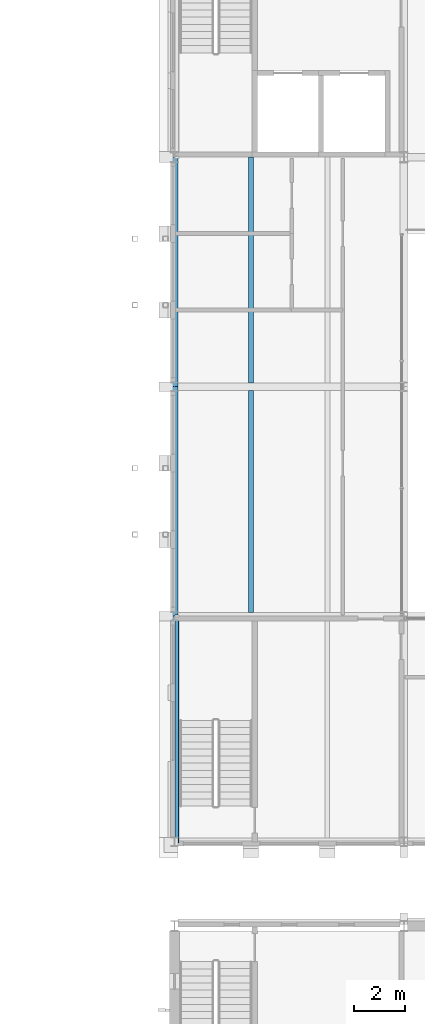
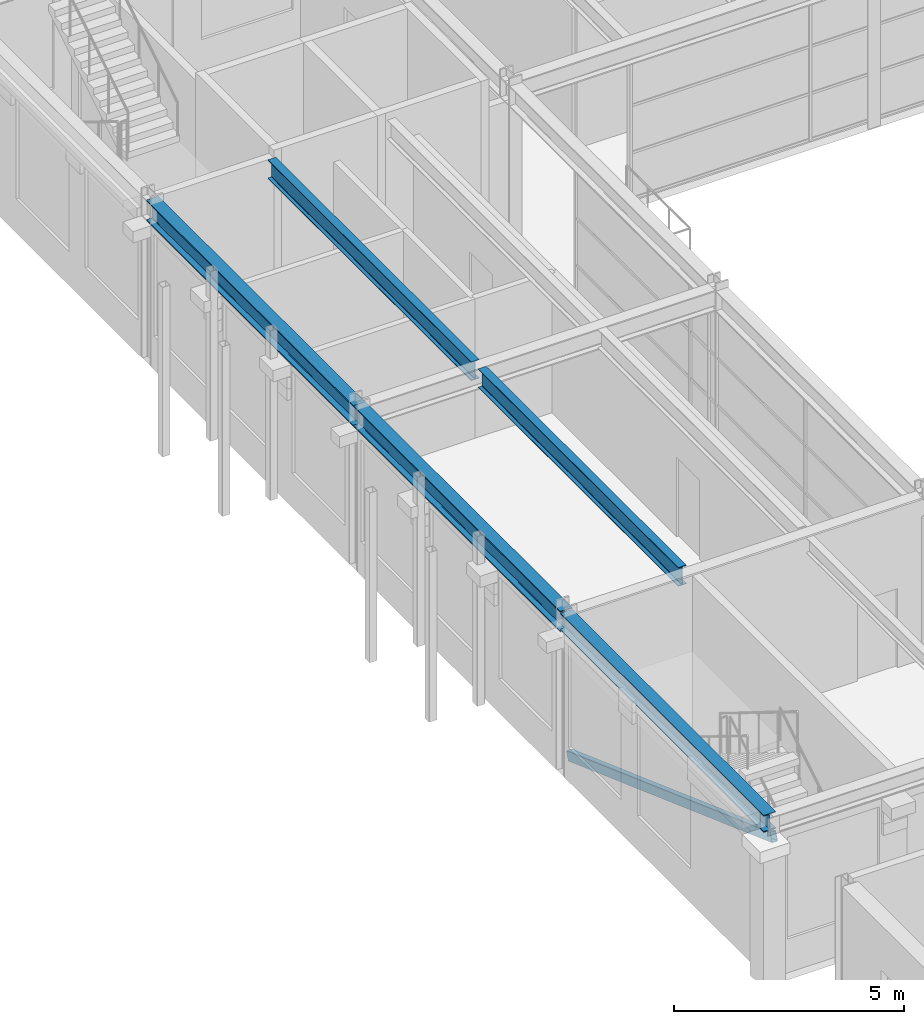
# One storey, part 27 of 153: 5 beams, 1 member.
"""IFC4 building model written with IfcOpenShell, lengths in metres."""

from ifc_helpers import new_model, si_unit, direction, frame, origin, origin_2d, place, context, subcontext, project, spatial, hollow_rectangle, i_section, extrude, material, material_profile, profile_set, type_object, element, save


model = new_model("IFC4")

# Units and contexts
model_context = context("Model", 3, precision=1e-05, world=origin(), true_north=direction((0.0, 1.0)))
body_context = subcontext(model_context, "Body", "Model", "MODEL_VIEW")
ifc_project = project(units=[si_unit("LENGTHUNIT", "METRE"), si_unit("AREAUNIT", "SQUARE_METRE"), si_unit("VOLUMEUNIT", "CUBIC_METRE"), si_unit("PLANEANGLEUNIT", "RADIAN"), si_unit("MASSUNIT", "GRAM", prefix="KILO")], contexts=[model_context])

# Site, building, storey
site_placement = place(None, origin())
site = spatial("IfcSite", under=ifc_project, at=site_placement, CompositionType="ELEMENT")
building_placement = place(site_placement, origin())
building = spatial("IfcBuilding", under=site, at=building_placement, Name="Kallimachos Central Library", CompositionType="ELEMENT")
storey_placement = place(building_placement, frame((0.0, 0.0, 5.39990234375)))
storey = spatial("IfcBuildingStorey", under=building, at=storey_placement, Name="L01", CompositionType="ELEMENT", Elevation=5.39990234375)

# Beams
ifc_material_1 = material(Name="Steel S355J2", Category="steel")
ifc_material_profile_1 = material_profile(ifc_material_1, i_section(OverallWidth=0.300048828125, OverallDepth=0.449951171875, WebThickness=0.013916015625, FlangeThickness=0.02587890625, FilletRadius=0.027099609375, at=origin_2d()), Name="HEB 450")
ifc_profile_set_1 = profile_set([ifc_material_profile_1], Name="Steel S355J2")
beam_type_1 = type_object("IfcBeamType", Name="HEB 450 beam", PredefinedType="BEAM", material=ifc_profile_set_1)
beam_1_placement = place(storey_placement, frame((65.5, 48.14990234375, 4.025146484375), z_axis=(0.0, 1.0, 0.0), x_axis=(-1.0, 0.0, 0.0)))
element("IfcBeam", 1, at=beam_1_placement, inside=storey, type_object=beam_type_1, Name="V4-BEM-L01-049", PredefinedType="BEAM", context=body_context, shape_type="SweptSolid", body=[
    extrude(i_section(OverallWidth=0.300048828125, OverallDepth=0.449951171875, WebThickness=0.013916015625, FlangeThickness=0.02587890625, FilletRadius=0.027099609375, at=origin_2d()), origin(), (0.0, 0.0, 1.0), 8.85009765625),
])
ifc_material_2 = material(Name="Steel S355J2", Category="steel")
ifc_material_profile_2 = material_profile(ifc_material_2, i_section(OverallWidth=0.300048828125, OverallDepth=0.550048828125, WebThickness=0.014892578125, FlangeThickness=0.029052734375, FilletRadius=0.027099609375, at=origin_2d()), Name="HEB 550")
ifc_profile_set_2 = profile_set([ifc_material_profile_2], Name="Steel S355J2")
beam_type_2 = type_object("IfcBeamType", Name="HEB 550 beam", PredefinedType="BEAM", material=ifc_profile_set_2)
for number, where, z_axis, x_axis, name in (
    (2, (65.5, 57.0, 4.025146484375), (0.0, 1.0, 0.0), (-1.0, 0.0, 0.0), "V4-BEM-L01-023"),
    (3, (65.5, 66.0, 4.025146484375), (0.0, 1.0, 0.0), (-1.0, 0.0, 0.0), "V4-BEM-L01-024"),
):
    element("IfcBeam", number, at=place(storey_placement, frame(where, z_axis=z_axis, x_axis=x_axis)), inside=storey, type_object=beam_type_2, Name=name, PredefinedType="BEAM", context=body_context, shape_type="SweptSolid", body=[
        extrude(i_section(OverallWidth=0.300048828125, OverallDepth=0.550048828125, WebThickness=0.014892578125, FlangeThickness=0.029052734375, FilletRadius=0.027099609375, at=origin_2d()), origin(), (0.0, 0.0, 1.0), 9.0),
    ])
ifc_material_3 = material(Name="Steel S355J2", Category="steel")
ifc_material_profile_3 = material_profile(ifc_material_3, i_section(OverallWidth=0.199951171875, OverallDepth=0.5, WebThickness=0.01025390625, FlangeThickness=0.01611328125, FilletRadius=0.02099609375, at=origin_2d()), Name="IPE 500")
ifc_profile_set_3 = profile_set([ifc_material_profile_3], Name="Steel S355J2")
beam_type_3 = type_object("IfcBeamType", Name="IPE 500 beam", PredefinedType="BEAM", material=ifc_profile_set_3)
beam_2_placement = place(storey_placement, frame((68.5, 57.14990234375, 4.050048828125), z_axis=(0.0, 1.0, 0.0), x_axis=(-1.0, 0.0, 0.0)))
element("IfcBeam", 4, at=beam_2_placement, inside=storey, type_object=beam_type_3, Name="V4-BEM-L01-027", PredefinedType="BEAM", context=body_context, shape_type="SweptSolid", body=[
    extrude(i_section(OverallWidth=0.199951171875, OverallDepth=0.5, WebThickness=0.01025390625, FlangeThickness=0.01611328125, FilletRadius=0.02099609375, at=origin_2d()), origin(), (0.0, 0.0, 1.0), 8.7001953125),
])
beam_3_placement = place(storey_placement, frame((68.5, 66.14990234375, 4.050048828125), z_axis=(0.0, 1.0, 0.0), x_axis=(-1.0, 0.0, 0.0)))
element("IfcBeam", 5, at=beam_3_placement, inside=storey, type_object=beam_type_3, Name="V4-BEM-L01-029", PredefinedType="BEAM", context=body_context, shape_type="SweptSolid", body=[
    extrude(i_section(OverallWidth=0.199951171875, OverallDepth=0.5, WebThickness=0.01025390625, FlangeThickness=0.01611328125, FilletRadius=0.02099609375, at=origin_2d()), origin(), (0.0, 0.0, 1.0), 8.85009765625),
])

# Member
ifc_material_4 = material(Name="Steel S355J2H", Category="steel")
ifc_material_profile_4 = material_profile(ifc_material_4, hollow_rectangle(XDim=0.14990234375, YDim=0.25, WallThickness=0.010009765625, InnerFilletRadius=0.010009765625, OuterFilletRadius=0.014892578125, at=origin_2d()), Name="RHS 250x150x10")
ifc_profile_set_4 = profile_set([ifc_material_profile_4], Name="Steel S355J2H")
member_type = type_object("IfcMemberType", Name="RHS 250x150x10 brace", PredefinedType="BRACE", material=ifc_profile_set_4)
member_placement = place(storey_placement, frame((65.60009765625, 57.0, 0.400146484375), z_axis=(0.0, -0.94041523715, 0.340028207264), x_axis=(1.0, 0.0, 0.0)))
element("IfcMember", 6, at=member_placement, inside=storey, type_object=member_type, Name="V4-MEM-L01-003", PredefinedType="BRACE", context=body_context, shape_type="SweptSolid", body=[
    extrude(hollow_rectangle(XDim=0.14990234375, YDim=0.25, WallThickness=0.010009765625, InnerFilletRadius=0.010009765625, OuterFilletRadius=0.014892578125, at=origin_2d()), origin(), (0.0, 0.0, 1.0), 9.410888671875),
])

save(model, "model.ifc")
